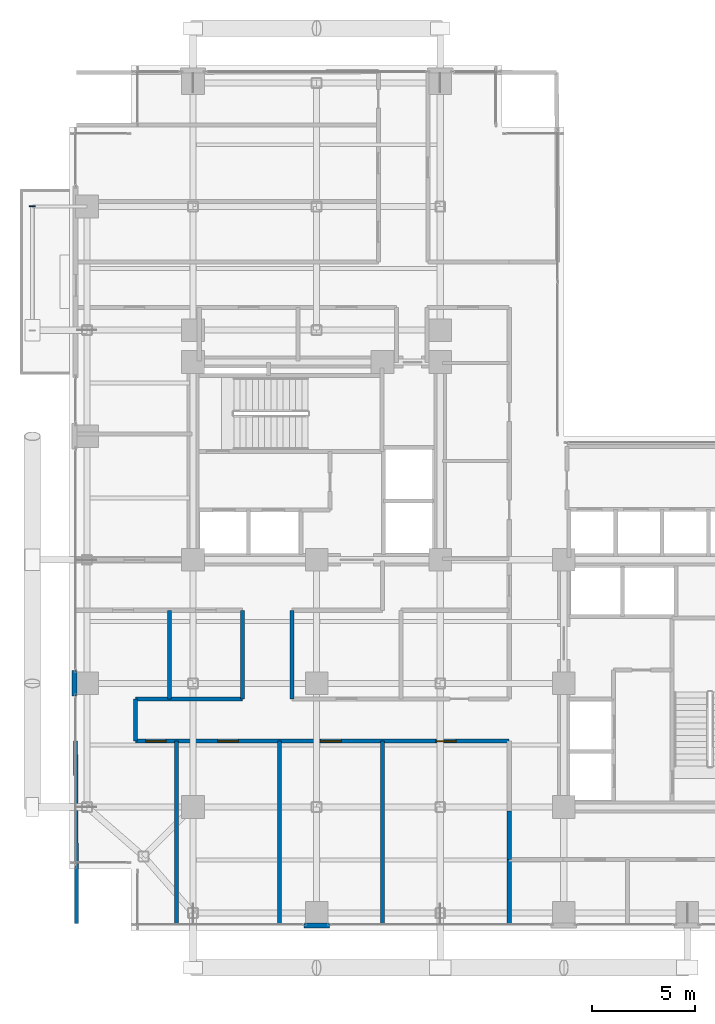
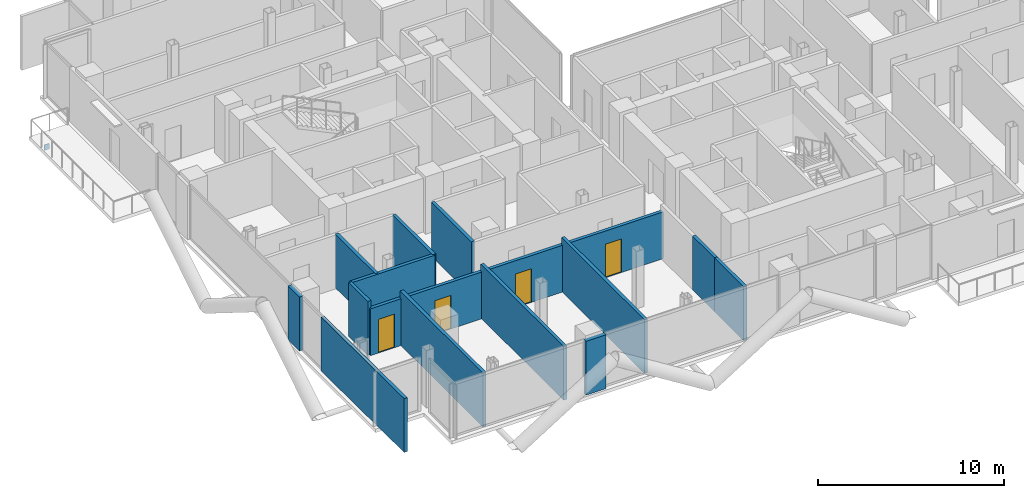
# One storey, part 21 of 28: 14 walls, 4 doors, 1 plate, 4 openings.
"""IFC4 building model written with IfcOpenShell, lengths in metres."""

from ifc_helpers import new_model, si_unit, direction, frame, frame_2d, origin, origin_2d, place, context, subcontext, project, spatial, rectangle, extrude, material, layer, layer_set, type_object, element, fill, save


model = new_model("IFC4")

# Units and contexts
model_context = context("Model", 3, precision=1e-05, world=origin(), true_north=direction((0.0, 1.0)))
body_context = subcontext(model_context, "Body", "Model", "MODEL_VIEW")
ifc_project = project(units=[si_unit("LENGTHUNIT", "METRE"), si_unit("AREAUNIT", "SQUARE_METRE"), si_unit("VOLUMEUNIT", "CUBIC_METRE"), si_unit("PLANEANGLEUNIT", "RADIAN"), si_unit("MASSUNIT", "GRAM", prefix="KILO"), si_unit("THERMODYNAMICTEMPERATUREUNIT", "KELVIN"), si_unit("POWERUNIT", "WATT")], contexts=[model_context])

# Site, building, storey
site_placement = place(None, origin())
site = spatial("IfcSite", under=ifc_project, at=site_placement, CompositionType="ELEMENT")
building_placement = place(site_placement, origin())
building = spatial("IfcBuilding", under=site, at=building_placement, Name="Svarakhadi Broadcast Tower", CompositionType="ELEMENT")
storey_placement = place(building_placement, frame((0.0, 0.0, 119.39990234375)))
storey = spatial("IfcBuildingStorey", under=building, at=storey_placement, Name="L28", CompositionType="ELEMENT", Elevation=119.39990234375)

# Plate
ifc_material_1 = material(Name="Steel S460ML (IS 2062 E450BR)", Category="steel")
ifc_layer_1 = layer(ifc_material_1, 0.028076171875)
ifc_layer_set_1 = layer_set([ifc_layer_1], Name="Steel S460ML (IS 2062 E450BR)")
plate_type = type_object("IfcPlateType", Name="Cap_Plate_CP02", PredefinedType="USERDEFINED", material=ifc_layer_set_1)
plate_placement = place(storey_placement, frame((-1.800048828125, 35.1650390625, -0.55517578125), z_axis=(0.0, 0.0, 1.0), x_axis=(1.0, 0.0, 0.0)))
element("IfcPlate", 1, at=plate_placement, inside=storey, type_object=plate_type, Name="L28 Balcony Spandrel End Cap Plate 2F-B", ObjectType="FLANGE_PLATE", PredefinedType="USERDEFINED", context=body_context, shape_type="SweptSolid", body=[
    extrude(rectangle(XDim=0.300048828125, YDim=0.0400390625, at=origin_2d()), origin(), (0.0, 0.0, 1.0), 0.360107421875),
])

# Walls
ifc_material_2 = material(Name="Double-Stud Acoustic Studio Partition STC-62", Category="gypsum")
ifc_layer_2 = layer(ifc_material_2, 0.199951171875)
ifc_layer_set_2 = layer_set([ifc_layer_2], Name="Double-Stud Acoustic Studio Partition STC-62")
wall_type_1 = type_object("IfcWallType", Name="Wall_Acoust_200", PredefinedType="PARTITIONING", material=ifc_layer_set_2)
wall_1_placement = place(storey_placement, frame((21.35009765625, 0.300048828125, 0.0), z_axis=(0.0, 0.0, 1.0), x_axis=(0.0, 1.0, 0.0)))
element("IfcWall", 2, at=wall_1_placement, inside=storey, type_object=wall_type_1, Name="L28 Harbour Front Production Office Wall", PredefinedType="PARTITIONING", context=body_context, shape_type="SweptSolid", body=[
    extrude(rectangle(XDim=3.14990234375, YDim=0.199951171875, at=frame_2d((1.574951171875, 0.0))), origin(), (0.0, 0.0, 1.0), 3.525146484375),
])
wall_2_placement = place(storey_placement, frame((0.35009765625, 0.35009765625, 0.0), z_axis=(0.0, 0.0, 1.0), x_axis=(-0.005655237989, 0.999984009014, 0.0)))
element("IfcWall", 3, at=wall_2_placement, inside=storey, type_object=wall_type_1, Name="L28 Offline Edit Pod 1 Wall", PredefinedType="PARTITIONING", context=body_context, shape_type="SweptSolid", body=[
    extrude(rectangle(XDim=8.85009765625, YDim=0.199951171875, at=frame_2d((4.425048828125, 0.0))), origin(), (0.0, 0.0, 1.0), 3.525146484375),
])
for number, where, z_axis, x_axis, name in (
    (4, (5.199951171875, 0.300048828125, 0.0), (0.0, 0.0, 1.0), (0.0, 1.0, 0.0), "L28 Offline Edit Pod 1 Wall"),
    (5, (10.199951171875, 0.300048828125, 0.0), (0.0, 0.0, 1.0), (0.0, 1.0, 0.0), "L28 Offline Edit Pod 2 Wall"),
    (6, (15.199951171875, 0.300048828125, 0.0), (0.0, 0.0, 1.0), (0.0, 1.0, 0.0), "L28 Online Finishing Room Wall"),
):
    element("IfcWall", number, at=place(storey_placement, frame(where, z_axis=z_axis, x_axis=x_axis)), inside=storey, type_object=wall_type_1, Name=name, PredefinedType="PARTITIONING", context=body_context, shape_type="SweptSolid", body=[
        extrude(rectangle(XDim=8.89990234375, YDim=0.199951171875, at=frame_2d((4.449951171875, 0.0))), origin(), (0.0, 0.0, 1.0), 3.525146484375),
    ])
wall_3_placement = place(storey_placement, frame((4.85009765625, 11.25, 0.0), z_axis=(0.0, 0.0, 1.0), x_axis=(0.0, 1.0, 0.0)))
element("IfcWall", 7, at=wall_3_placement, inside=storey, type_object=wall_type_1, Name="L28 Voiceover Booth Wall", PredefinedType="PARTITIONING", context=body_context, shape_type="SweptSolid", body=[
    extrude(rectangle(XDim=4.300048828125, YDim=0.199951171875, at=frame_2d((2.14990234375, 0.0))), origin(), (0.0, 0.0, 1.0), 3.525146484375),
])
ifc_material_3 = material(Name="Concrete C40/50 (IS 456 M50)", Category="concrete")
ifc_layer_3 = layer(ifc_material_3, 0.239990234375)
ifc_layer_set_3 = layer_set([ifc_layer_3], Name="Concrete C40/50 (IS 456 M50)")
wall_type_2 = type_object("IfcWallType", Name="Wall_Ext_240", PredefinedType="SOLIDWALL", material=ifc_layer_set_3)
for number, where, z_axis, x_axis, name in (
    (8, (0.239990234375, 11.385009765625, 0.0), (0.0, 0.0, 1.0), (0.0, 1.0, 0.0), "L28 Perimeter Bronze Spandrel Closure Wall 01"),
    (9, (12.614990234375, 0.239990234375, 0.0), (0.0, 0.0, 1.0), (-1.0, 0.0, 0.0), "L28 Perimeter Bronze Spandrel Closure Wall 08"),
):
    element("IfcWall", number, at=place(storey_placement, frame(where, z_axis=z_axis, x_axis=x_axis)), inside=storey, type_object=wall_type_2, Name=name, PredefinedType="SOLIDWALL", context=body_context, shape_type="SweptSolid", body=[
        extrude(rectangle(XDim=1.22998046875, YDim=0.239990234375, at=frame_2d((0.614990234375, 0.0))), origin(), (0.0, 0.0, 1.0), 3.525146484375),
    ])
ifc_layer_4 = layer(ifc_material_3, 0.199951171875)
ifc_layer_set_4 = layer_set([ifc_layer_4], Name="Concrete C40/50 (IS 456 M50)")
wall_type_3 = type_object("IfcWallType", Name="Wall_Fire_200", PredefinedType="SOLIDWALL", material=ifc_layer_set_4)
wall_4_placement = place(storey_placement, frame((21.35009765625, 3.449951171875, 0.0), z_axis=(0.0, 0.0, 1.0), x_axis=(0.0, 1.0, 0.0)))
element("IfcWall", 10, at=wall_4_placement, inside=storey, type_object=wall_type_3, Name="L28 Zone 2/3 Corridor Wall", PredefinedType="SOLIDWALL", context=body_context, shape_type="SweptSolid", body=[
    extrude(rectangle(XDim=2.35009765625, YDim=0.199951171875, at=frame_2d((1.175048828125, 0.0))), origin(), (0.0, 0.0, 1.0), 3.525146484375),
])

# Wall, openings, doors
wall_5_placement = place(storey_placement, frame((21.35009765625, 9.199951171875, 0.0), z_axis=(0.0, 0.0, 1.0), x_axis=(-1.0, 0.0, 0.0)))
wall_5 = element("IfcWall", 11, at=wall_5_placement, inside=storey, type_object=wall_type_3, Name="L28 Zone 2/3 Corridor Wall", PredefinedType="SOLIDWALL", context=body_context, shape_type="SweptSolid", body=[
    extrude(rectangle(XDim=18.150146484375, YDim=0.199951171875, at=frame_2d((9.0751953125, 0.0))), origin(), (0.0, 0.0, 1.0), 3.067138671875),
])
opening_1_placement = place(wall_5_placement, frame((16.64990234375, 0.0, 0.0)))
opening_1 = element("IfcOpeningElement", 12, at=opening_1_placement, cuts=wall_5, Name="Opening D-09", PredefinedType="OPENING", context=body_context, shape_type="SweptSolid", body=[
    extrude(rectangle(XDim=1.0, YDim=2.199951171875, at=frame_2d((0.5, 1.10009765625))), frame((0.0, 0.10986328125, 0.0), z_axis=(0.0, -1.0, 0.0), x_axis=(1.0, 0.0, 0.0)), (0.0, 0.0, 1.0), 0.219970703125),
])
opening_2_placement = place(wall_5_placement, frame((13.14990234375, 0.0, 0.0)))
opening_2 = element("IfcOpeningElement", 13, at=opening_2_placement, cuts=wall_5, Name="Opening D-08", PredefinedType="OPENING", context=body_context, shape_type="SweptSolid", body=[
    extrude(rectangle(XDim=1.0, YDim=2.199951171875, at=frame_2d((0.5, 1.10009765625))), frame((0.0, 0.10986328125, 0.0), z_axis=(0.0, -1.0, 0.0), x_axis=(1.0, 0.0, 0.0)), (0.0, 0.0, 1.0), 0.219970703125),
])
opening_3_placement = place(wall_5_placement, frame((8.14990234375, 0.0, 0.0)))
opening_3 = element("IfcOpeningElement", 14, at=opening_3_placement, cuts=wall_5, Name="Opening D-09", PredefinedType="OPENING", context=body_context, shape_type="SweptSolid", body=[
    extrude(rectangle(XDim=1.0, YDim=2.199951171875, at=frame_2d((0.5, 1.10009765625))), frame((0.0, 0.10986328125, 0.0), z_axis=(0.0, -1.0, 0.0), x_axis=(1.0, 0.0, 0.0)), (0.0, 0.0, 1.0), 0.219970703125),
])
opening_4_placement = place(wall_5_placement, frame((2.574951171875, 0.0, 0.0)))
opening_4 = element("IfcOpeningElement", 15, at=opening_4_placement, cuts=wall_5, Name="Opening D-08", PredefinedType="OPENING", context=body_context, shape_type="SweptSolid", body=[
    extrude(rectangle(XDim=1.0, YDim=2.199951171875, at=frame_2d((0.5, 1.10009765625))), frame((0.0, 0.10986328125, 0.0), z_axis=(0.0, -1.0, 0.0), x_axis=(1.0, 0.0, 0.0)), (0.0, 0.0, 1.0), 0.219970703125),
])
ifc_material_4 = material(Name="Solid-Core Teak Veneer Acoustic Timber Leaf", Category="wood")
door_type_1 = type_object("IfcDoorType", Name="Door_Suite_D08", OperationType="SINGLE_SWING_LEFT", PredefinedType="DOOR", material=ifc_material_4)
door_1_placement = place(opening_2_placement, origin())
door_1 = element("IfcDoor", 16, at=door_1_placement, inside=storey, type_object=door_type_1, Name="L28 Offline Edit Pod 2 Door", OperationType="SINGLE_SWING_LEFT", OverallHeight=2.199951171875, OverallWidth=1.0, PredefinedType="DOOR", context=body_context, shape_type="SweptSolid", body=[
    extrude(rectangle(XDim=1.0, YDim=2.199951171875, at=frame_2d((0.5, 1.10009765625))), frame((0.0, 0.02490234375, 0.0), z_axis=(0.0, -1.0, 0.0), x_axis=(1.0, 0.0, 0.0)), (0.0, 0.0, 1.0), 0.050048828125),
])
fill(opening_2, door_1)
door_2_placement = place(opening_4_placement, origin())
door_2 = element("IfcDoor", 17, at=door_2_placement, inside=storey, type_object=door_type_1, Name="L28 Audio Layback Pod Door", OperationType="SINGLE_SWING_LEFT", OverallHeight=2.199951171875, OverallWidth=1.0, PredefinedType="DOOR", context=body_context, shape_type="SweptSolid", body=[
    extrude(rectangle(XDim=1.0, YDim=2.199951171875, at=frame_2d((0.5, 1.10009765625))), frame((0.0, 0.02490234375, 0.0), z_axis=(0.0, -1.0, 0.0), x_axis=(1.0, 0.0, 0.0)), (0.0, 0.0, 1.0), 0.050048828125),
])
fill(opening_4, door_2)
door_type_2 = type_object("IfcDoorType", Name="Door_Suite_D09", OperationType="SINGLE_SWING_RIGHT", PredefinedType="DOOR", material=ifc_material_4)
door_3_placement = place(opening_1_placement, origin())
door_3 = element("IfcDoor", 18, at=door_3_placement, inside=storey, type_object=door_type_2, Name="L28 Offline Edit Pod 1 Door", OperationType="SINGLE_SWING_RIGHT", OverallHeight=2.199951171875, OverallWidth=1.0, PredefinedType="DOOR", context=body_context, shape_type="SweptSolid", body=[
    extrude(rectangle(XDim=1.0, YDim=2.199951171875, at=frame_2d((0.5, 1.10009765625))), frame((0.0, 0.02490234375, 0.0), z_axis=(0.0, -1.0, 0.0), x_axis=(1.0, 0.0, 0.0)), (0.0, 0.0, 1.0), 0.050048828125),
])
fill(opening_1, door_3)
door_4_placement = place(opening_3_placement, origin())
door_4 = element("IfcDoor", 19, at=door_4_placement, inside=storey, type_object=door_type_2, Name="L28 Online Finishing Room Door", OperationType="SINGLE_SWING_RIGHT", OverallHeight=2.199951171875, OverallWidth=1.0, PredefinedType="DOOR", context=body_context, shape_type="SweptSolid", body=[
    extrude(rectangle(XDim=1.0, YDim=2.199951171875, at=frame_2d((0.5, 1.10009765625))), frame((0.0, 0.02490234375, 0.0), z_axis=(0.0, -1.0, 0.0), x_axis=(1.0, 0.0, 0.0)), (0.0, 0.0, 1.0), 0.050048828125),
])
fill(opening_3, door_4)

# Walls
wall_6_placement = place(storey_placement, frame((3.199951171875, 9.199951171875, 0.0), z_axis=(0.0, 0.0, 1.0), x_axis=(0.0, 1.0, 0.0)))
element("IfcWall", 20, at=wall_6_placement, inside=storey, type_object=wall_type_3, Name="L28 Zone 2/3 Corridor Wall", PredefinedType="SOLIDWALL", context=body_context, shape_type="SweptSolid", body=[
    extrude(rectangle(XDim=2.050048828125, YDim=0.199951171875, at=frame_2d((1.02490234375, 0.0))), origin(), (0.0, 0.0, 1.0), 3.525146484375),
])
wall_7_placement = place(storey_placement, frame((3.199951171875, 11.25, 0.0), z_axis=(0.0, 0.0, 1.0), x_axis=(1.0, 0.0, 0.0)))
element("IfcWall", 21, at=wall_7_placement, inside=storey, type_object=wall_type_3, Name="L28 Zone 2/3 Corridor Wall", PredefinedType="SOLIDWALL", context=body_context, shape_type="SweptSolid", body=[
    extrude(rectangle(XDim=5.199951171875, YDim=0.199951171875, at=frame_2d((2.60009765625, 0.0))), origin(), (0.0, 0.0, 1.0), 3.525146484375),
])
for number, where, z_axis, x_axis, name in (
    (22, (8.39990234375, 11.25, 0.0), (0.0, 0.0, 1.0), (0.0, 1.0, 0.0), "L28 Zone 2/3 Corridor Wall"),
    (23, (10.800048828125, 15.550048828125, 0.0), (0.0, 0.0, 1.0), (0.0, -1.0, 0.0), "L28 Zone 2/3 Corridor Wall"),
):
    element("IfcWall", number, at=place(storey_placement, frame(where, z_axis=z_axis, x_axis=x_axis)), inside=storey, type_object=wall_type_3, Name=name, PredefinedType="SOLIDWALL", context=body_context, shape_type="SweptSolid", body=[
        extrude(rectangle(XDim=4.300048828125, YDim=0.199951171875, at=frame_2d((2.14990234375, 0.0))), origin(), (0.0, 0.0, 1.0), 3.525146484375),
    ])

save(model, "model.ifc")
